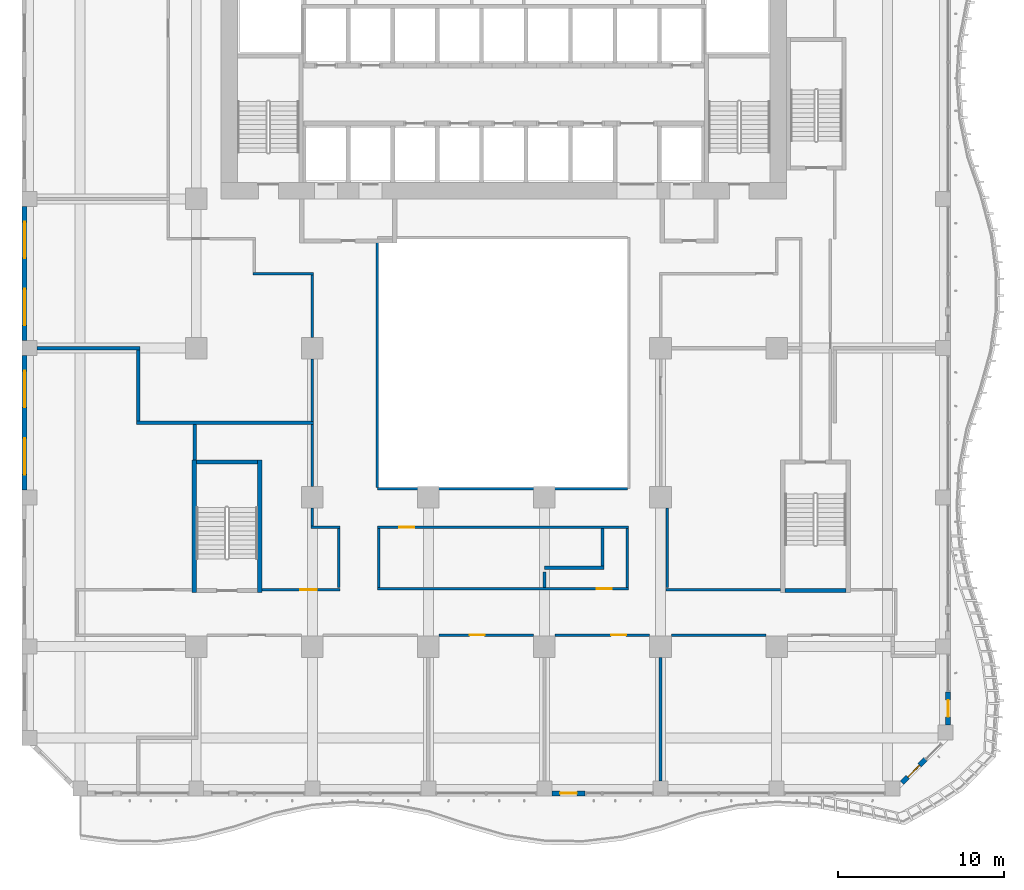
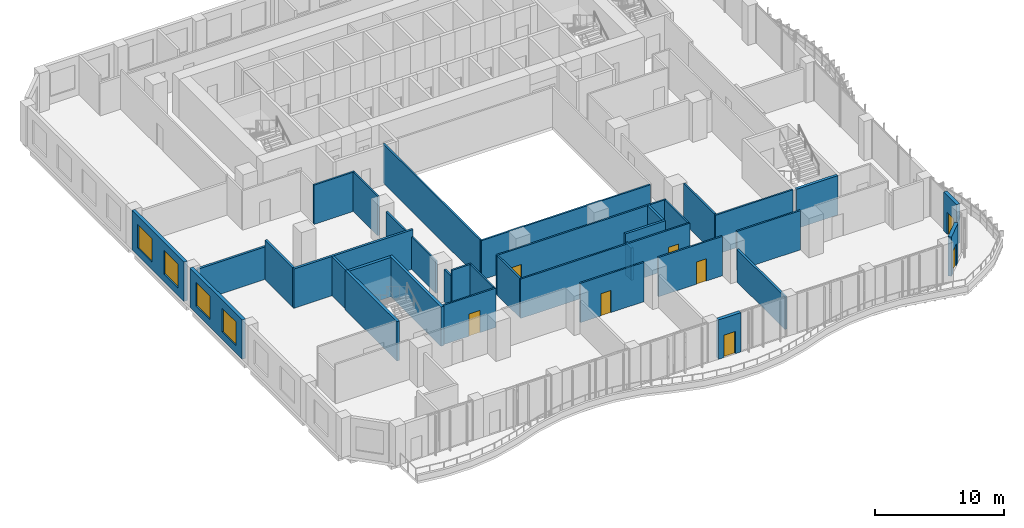
# One storey, part 13 of 27: 36 walls, 8 doors, 4 windows, 12 openings.
"""IFC4 building model written with IfcOpenShell, lengths in metres."""

from ifc_helpers import new_model, si_unit, direction, frame, frame_2d, origin, place, context, subcontext, project, spatial, rectangle, extrude, source, transform, mapped, material, layer, layer_set, type_object, element, fill, save


model = new_model("IFC4")

# Units and contexts
model_context = context("Model", 3, precision=1e-05, world=origin(), true_north=direction((0.0, 1.0)))
body_context = subcontext(model_context, "Body", "Model", "MODEL_VIEW")
ifc_project = project(units=[si_unit("LENGTHUNIT", "METRE"), si_unit("AREAUNIT", "SQUARE_METRE"), si_unit("VOLUMEUNIT", "CUBIC_METRE"), si_unit("PLANEANGLEUNIT", "RADIAN"), si_unit("MASSUNIT", "GRAM", prefix="KILO")], contexts=[model_context])

# Site, building, storey
site_placement = place(None, origin())
site = spatial("IfcSite", under=ifc_project, at=site_placement, CompositionType="ELEMENT")
building_placement = place(site_placement, origin())
building = spatial("IfcBuilding", under=site, at=building_placement, Name="Kilnfold Tower and Market Hall", CompositionType="ELEMENT")
storey_placement = place(building_placement, frame((0.0, 0.0, 51.0)))
storey = spatial("IfcBuildingStorey", under=building, at=storey_placement, Name="L11", CompositionType="ELEMENT", Elevation=51.0)

# Walls
ifc_material_1 = material(Name="Fire-resisting glazed screen")
ifc_layer_1 = layer(ifc_material_1, 0.14990234375)
ifc_layer_set_1 = layer_set([ifc_layer_1], Name="Fire-resisting glazed screen")
wall_type_1 = type_object("IfcWallType", Name="WALL ATRIUM 150", PredefinedType="PARTITIONING", material=ifc_layer_set_1)
wall_1_placement = place(storey_placement, frame((8.5, -9.47509765625, 0.0), z_axis=(0.0, 0.0, 1.0), x_axis=(-1.0, 0.0, 0.0)))
element("IfcWall", 1, at=wall_1_placement, inside=storey, type_object=wall_type_1, Name="Partition LY10.68", PredefinedType="PARTITIONING", context=body_context, shape_type="SweptSolid", body=[
    extrude(rectangle(XDim=15.074951171875, YDim=0.14990234375, at=frame_2d((7.53759765625, 0.0))), origin(), (0.0, 0.0, 1.0), 3.719970703125),
])
wall_2_placement = place(storey_placement, frame((-6.574951171875, -9.39990234375, 0.0), z_axis=(0.0, 0.0, 1.0), x_axis=(0.0, 1.0, 0.0)))
element("IfcWall", 2, at=wall_2_placement, inside=storey, type_object=wall_type_1, Name="Partition LY10.69", PredefinedType="PARTITIONING", context=body_context, shape_type="SweptSolid", body=[
    extrude(rectangle(XDim=15.0, YDim=0.14990234375, at=frame_2d((7.5, 0.0))), origin(), (0.0, 0.0, 1.0), 3.719970703125),
])
ifc_material_2 = material(Name="Gypsum board on steel studs", Category="steel")
ifc_layer_2 = layer(ifc_material_2, 0.14990234375)
ifc_layer_set_2 = layer_set([ifc_layer_2], Name="Gypsum board on steel studs")
wall_type_2 = type_object("IfcWallType", Name="WALL CORRIDOR 150", PredefinedType="PARTITIONING", material=ifc_layer_set_2)
wall_3_placement = place(storey_placement, frame((-10.5, -5.409912109375, 0.0), z_axis=(0.0, 0.0, 1.0), x_axis=(0.0, 1.0, 0.0)))
element("IfcWall", 3, at=wall_3_placement, inside=storey, type_object=wall_type_2, Name="Partition LY10.1", PredefinedType="PARTITIONING", context=body_context, shape_type="SweptSolid", body=[
    extrude(rectangle(XDim=3.760009765625, YDim=0.14990234375, at=frame_2d((1.8798828125, 0.0))), origin(), (0.0, 0.0, 1.0), 3.070068359375),
])
wall_4_placement = place(storey_placement, frame((-10.5, -0.35009765625, 0.0), z_axis=(0.0, 0.0, 1.0), x_axis=(0.0, 1.0, 0.0)))
element("IfcWall", 4, at=wall_4_placement, inside=storey, type_object=wall_type_2, Name="Partition LY10.2", PredefinedType="PARTITIONING", context=body_context, shape_type="SweptSolid", body=[
    extrude(rectangle(XDim=3.775146484375, YDim=0.14990234375, at=frame_2d((1.8876953125, 0.0))), origin(), (0.0, 0.0, 1.0), 3.719970703125),
])
wall_5_placement = place(storey_placement, frame((-14.074951171875, 3.5, 0.0), z_axis=(0.0, 0.0, 1.0), x_axis=(1.0, 0.0, 0.0)))
element("IfcWall", 5, at=wall_5_placement, inside=storey, type_object=wall_type_2, Name="Partition LY10.3", PredefinedType="PARTITIONING", context=body_context, shape_type="SweptSolid", body=[
    extrude(rectangle(XDim=3.64990234375, YDim=0.14990234375, at=frame_2d((1.824951171875, 0.0))), origin(), (0.0, 0.0, 1.0), 3.719970703125),
])

# Wall, opening, door
wall_6_placement = place(storey_placement, frame((-13.550048828125, -15.574951171875, 0.0), z_axis=(0.0, 0.0, 1.0), x_axis=(1.0, 0.0, 0.0)))
wall_6 = element("IfcWall", 6, at=wall_6_placement, inside=storey, type_object=wall_type_2, Name="Partition LY10.10", PredefinedType="PARTITIONING", context=body_context, shape_type="SweptSolid", body=[
    extrude(rectangle(XDim=4.72509765625, YDim=0.14990234375, at=frame_2d((2.362548828125, 0.0))), origin(), (0.0, 0.0, 1.0), 3.719970703125),
])
opening_1_placement = place(wall_6_placement, frame((2.31591796875, 0.0, 0.0)))
opening_1 = element("IfcOpeningElement", 7, at=opening_1_placement, cuts=wall_6, Name="Opening D1", PredefinedType="OPENING", context=body_context, shape_type="SweptSolid", body=[
    extrude(rectangle(XDim=1.0, YDim=2.10009765625, at=frame_2d((0.5, 1.050048828125))), frame((0.0, 0.0849609375, 0.0), z_axis=(0.0, -1.0, 0.0), x_axis=(1.0, 0.0, 0.0)), (0.0, 0.0, 1.0), 0.169921875),
])
ifc_material_3 = material(Name="Timber veneer door leaf in steel frame", Category="steel")
door_type_1 = type_object("IfcDoorType", Name="DOOR ENTRY 1000 X2100", OperationType="NOTDEFINED", PredefinedType="DOOR", material=ifc_material_3)
door_1_placement = place(opening_1_placement, origin())
door_1 = element("IfcDoor", 8, at=door_1_placement, inside=storey, type_object=door_type_1, Name="Door D1", OperationType="SINGLE_SWING_LEFT", OverallHeight=2.10009765625, OverallWidth=1.0, PredefinedType="DOOR", context=body_context, shape_type="SweptSolid", body=[
    extrude(rectangle(XDim=1.0, YDim=2.10009765625, at=frame_2d((0.5, 1.050048828125))), frame((0.0, 0.02490234375, 0.0), z_axis=(0.0, -1.0, 0.0), x_axis=(1.0, 0.0, 0.0)), (0.0, 0.0, 1.0), 0.050048828125),
])
fill(opening_1, door_1)

# Walls
wall_7_placement = place(storey_placement, frame((-8.89990234375, -11.875, 0.0), z_axis=(0.0, 0.0, 1.0), x_axis=(0.0, -1.0, 0.0)))
element("IfcWall", 9, at=wall_7_placement, inside=storey, type_object=wall_type_2, Name="Partition LY10.11", PredefinedType="PARTITIONING", context=body_context, shape_type="SweptSolid", body=[
    extrude(rectangle(XDim=3.550048828125, YDim=0.14990234375, at=frame_2d((1.77490234375, 0.0))), origin(), (0.0, 0.0, 1.0), 3.719970703125),
])
wall_8_placement = place(storey_placement, frame((-10.574951171875, -11.800048828125, 0.0), z_axis=(0.0, 0.0, 1.0), x_axis=(1.0, 0.0, 0.0)))
element("IfcWall", 10, at=wall_8_placement, inside=storey, type_object=wall_type_2, Name="Partition LY10.12", PredefinedType="PARTITIONING", context=body_context, shape_type="SweptSolid", body=[
    extrude(rectangle(XDim=1.75, YDim=0.14990234375, at=frame_2d((0.875, 0.0))), origin(), (0.0, 0.0, 1.0), 3.719970703125),
])
wall_9_placement = place(storey_placement, frame((-10.5, -11.72509765625, 0.0), z_axis=(0.0, 0.0, 1.0), x_axis=(0.0, 1.0, 0.0)))
element("IfcWall", 11, at=wall_9_placement, inside=storey, type_object=wall_type_2, Name="Partition LY10.13", PredefinedType="PARTITIONING", context=body_context, shape_type="SweptSolid", body=[
    extrude(rectangle(XDim=1.0751953125, YDim=0.14990234375, at=frame_2d((0.53759765625, 0.0))), origin(), (0.0, 0.0, 1.0), 3.070068359375),
])
wall_10_placement = place(storey_placement, frame((-10.5, -9.35009765625, 0.0), z_axis=(0.0, 0.0, 1.0), x_axis=(0.0, 1.0, 0.0)))
element("IfcWall", 12, at=wall_10_placement, inside=storey, type_object=wall_type_2, Name="Partition LY10.14", PredefinedType="PARTITIONING", context=body_context, shape_type="SweptSolid", body=[
    extrude(rectangle(XDim=3.760009765625, YDim=0.14990234375, at=frame_2d((1.8798828125, 0.0))), origin(), (0.0, 0.0, 1.0), 3.070068359375),
])

# Wall, opening, door
wall_11_placement = place(storey_placement, frame((-6.574951171875, -11.800048828125, 0.0), z_axis=(0.0, 0.0, 1.0), x_axis=(1.0, 0.0, 0.0)))
wall_11 = element("IfcWall", 13, at=wall_11_placement, inside=storey, type_object=wall_type_2, Name="Partition LY10.17", PredefinedType="PARTITIONING", context=body_context, shape_type="SweptSolid", body=[
    extrude(rectangle(XDim=15.14990234375, YDim=0.14990234375, at=frame_2d((7.574951171875, 0.0))), origin(), (0.0, 0.0, 1.0), 3.719970703125),
])
opening_2_placement = place(wall_11_placement, frame((1.30810546875, 0.0, 0.0)))
opening_2 = element("IfcOpeningElement", 14, at=opening_2_placement, cuts=wall_11, Name="Opening D2", PredefinedType="OPENING", context=body_context, shape_type="SweptSolid", body=[
    extrude(rectangle(XDim=0.89990234375, YDim=2.10009765625, at=frame_2d((0.449951171875, 1.050048828125))), frame((0.0, 0.0849609375, 0.0), z_axis=(0.0, -1.0, 0.0), x_axis=(1.0, 0.0, 0.0)), (0.0, 0.0, 1.0), 0.169921875),
])
ifc_material_4 = material(Name="Timber veneer door leaf in steel frame", Category="steel")
door_type_2 = type_object("IfcDoorType", Name="DOOR ROOM 900 X2100", OperationType="NOTDEFINED", PredefinedType="DOOR", material=ifc_material_4)
door_2_placement = place(opening_2_placement, origin())
door_2 = element("IfcDoor", 15, at=door_2_placement, inside=storey, type_object=door_type_2, Name="Door D2", OperationType="SINGLE_SWING_RIGHT", OverallHeight=2.10009765625, OverallWidth=0.89990234375, PredefinedType="DOOR", context=body_context, shape_type="SweptSolid", body=[
    extrude(rectangle(XDim=0.89990234375, YDim=2.10009765625, at=frame_2d((0.449951171875, 1.050048828125))), frame((0.0, 0.02490234375, 0.0), z_axis=(0.0, -1.0, 0.0), x_axis=(1.0, 0.0, 0.0)), (0.0, 0.0, 1.0), 0.050048828125),
])
fill(opening_2, door_2)

# Wall
wall_12_placement = place(storey_placement, frame((-6.5, -15.425048828125, 0.0), z_axis=(0.0, 0.0, 1.0), x_axis=(0.0, 1.0, 0.0)))
element("IfcWall", 16, at=wall_12_placement, inside=storey, type_object=wall_type_2, Name="Partition LY10.18", PredefinedType="PARTITIONING", context=body_context, shape_type="SweptSolid", body=[
    extrude(rectangle(XDim=3.550048828125, YDim=0.14990234375, at=frame_2d((1.77490234375, 0.0))), origin(), (0.0, 0.0, 1.0), 3.719970703125),
])

# Wall, opening, door
wall_13_placement = place(storey_placement, frame((-6.574951171875, -15.5, 0.0), z_axis=(0.0, 0.0, 1.0), x_axis=(1.0, 0.0, 0.0)))
wall_13 = element("IfcWall", 17, at=wall_13_placement, inside=storey, type_object=wall_type_2, Name="Partition LY10.19", PredefinedType="PARTITIONING", context=body_context, shape_type="SweptSolid", body=[
    extrude(rectangle(XDim=15.14990234375, YDim=0.14990234375, at=frame_2d((7.574951171875, 0.0))), origin(), (0.0, 0.0, 1.0), 3.719970703125),
])
opening_3_placement = place(wall_13_placement, frame((13.23193359375, 0.0, 0.0)))
opening_3 = element("IfcOpeningElement", 18, at=opening_3_placement, cuts=wall_13, Name="Opening D3", PredefinedType="OPENING", context=body_context, shape_type="SweptSolid", body=[
    extrude(rectangle(XDim=0.89990234375, YDim=2.10009765625, at=frame_2d((0.449951171875, 1.050048828125))), frame((0.0, 0.0849609375, 0.0), z_axis=(0.0, -1.0, 0.0), x_axis=(1.0, 0.0, 0.0)), (0.0, 0.0, 1.0), 0.169921875),
])
ifc_material_5 = material(Name="Timber veneer door leaf in steel frame", Category="steel")
door_type_3 = type_object("IfcDoorType", Name="DOOR WC 900 X2100", OperationType="NOTDEFINED", PredefinedType="DOOR", material=ifc_material_5)
door_3_placement = place(opening_3_placement, origin())
door_3 = element("IfcDoor", 19, at=door_3_placement, inside=storey, type_object=door_type_3, Name="Door D3", OperationType="SINGLE_SWING_LEFT", OverallHeight=2.10009765625, OverallWidth=0.89990234375, PredefinedType="DOOR", context=body_context, shape_type="SweptSolid", body=[
    extrude(rectangle(XDim=0.89990234375, YDim=2.10009765625, at=frame_2d((0.449951171875, 1.050048828125))), frame((0.0, 0.02490234375, 0.0), z_axis=(0.0, -1.0, 0.0), x_axis=(1.0, 0.0, 0.0)), (0.0, 0.0, 1.0), 0.050048828125),
])
fill(opening_3, door_3)

wall_14_placement = place(storey_placement, frame((-2.85009765625, -18.300048828125, 0.0), z_axis=(0.0, 0.0, 1.0), x_axis=(1.0, 0.0, 0.0)))
wall_14 = element("IfcWall", 20, at=wall_14_placement, inside=storey, type_object=wall_type_2, Name="Partition LY10.20", PredefinedType="PARTITIONING", context=body_context, shape_type="SweptSolid", body=[
    extrude(rectangle(XDim=5.7001953125, YDim=0.14990234375, at=frame_2d((2.85009765625, 0.0))), origin(), (0.0, 0.0, 1.0), 3.719970703125),
])
opening_4_placement = place(wall_14_placement, frame((1.8369140625, 0.0, 0.0)))
opening_4 = element("IfcOpeningElement", 21, at=opening_4_placement, cuts=wall_14, Name="Opening D2", PredefinedType="OPENING", context=body_context, shape_type="SweptSolid", body=[
    extrude(rectangle(XDim=0.89990234375, YDim=2.10009765625, at=frame_2d((0.449951171875, 1.050048828125))), frame((0.0, 0.0849609375, 0.0), z_axis=(0.0, -1.0, 0.0), x_axis=(1.0, 0.0, 0.0)), (0.0, 0.0, 1.0), 0.169921875),
])
door_4_placement = place(opening_4_placement, origin())
door_4 = element("IfcDoor", 22, at=door_4_placement, inside=storey, type_object=door_type_2, Name="Door D2", OperationType="SINGLE_SWING_LEFT", OverallHeight=2.10009765625, OverallWidth=0.89990234375, PredefinedType="DOOR", context=body_context, shape_type="SweptSolid", body=[
    extrude(rectangle(XDim=0.89990234375, YDim=2.10009765625, at=frame_2d((0.449951171875, 1.050048828125))), frame((0.0, 0.02490234375, 0.0), z_axis=(0.0, -1.0, 0.0), x_axis=(1.0, 0.0, 0.0)), (0.0, 0.0, 1.0), 0.050048828125),
])
fill(opening_4, door_4)

wall_15_placement = place(storey_placement, frame((4.14990234375, -18.300048828125, 0.0), z_axis=(0.0, 0.0, 1.0), x_axis=(1.0, 0.0, 0.0)))
wall_15 = element("IfcWall", 23, at=wall_15_placement, inside=storey, type_object=wall_type_2, Name="Partition LY10.21", PredefinedType="PARTITIONING", context=body_context, shape_type="SweptSolid", body=[
    extrude(rectangle(XDim=5.7001953125, YDim=0.14990234375, at=frame_2d((2.85009765625, 0.0))), origin(), (0.0, 0.0, 1.0), 3.719970703125),
])
opening_5_placement = place(wall_15_placement, frame((3.3720703125, 0.0, 0.0)))
opening_5 = element("IfcOpeningElement", 24, at=opening_5_placement, cuts=wall_15, Name="Opening D2", PredefinedType="OPENING", context=body_context, shape_type="SweptSolid", body=[
    extrude(rectangle(XDim=0.89990234375, YDim=2.10009765625, at=frame_2d((0.449951171875, 1.050048828125))), frame((0.0, 0.0849609375, 0.0), z_axis=(0.0, -1.0, 0.0), x_axis=(1.0, 0.0, 0.0)), (0.0, 0.0, 1.0), 0.169921875),
])
door_5_placement = place(opening_5_placement, origin())
door_5 = element("IfcDoor", 25, at=door_5_placement, inside=storey, type_object=door_type_2, Name="Door D2", OperationType="SINGLE_SWING_RIGHT", OverallHeight=2.10009765625, OverallWidth=0.89990234375, PredefinedType="DOOR", context=body_context, shape_type="SweptSolid", body=[
    extrude(rectangle(XDim=0.89990234375, YDim=2.10009765625, at=frame_2d((0.449951171875, 1.050048828125))), frame((0.0, 0.02490234375, 0.0), z_axis=(0.0, -1.0, 0.0), x_axis=(1.0, 0.0, 0.0)), (0.0, 0.0, 1.0), 0.050048828125),
])
fill(opening_5, door_5)

# Walls
wall_16_placement = place(storey_placement, frame((8.5, -11.875, 0.0), z_axis=(0.0, 0.0, 1.0), x_axis=(0.0, -1.0, 0.0)))
element("IfcWall", 26, at=wall_16_placement, inside=storey, type_object=wall_type_2, Name="Partition LY10.22", PredefinedType="PARTITIONING", context=body_context, shape_type="SweptSolid", body=[
    extrude(rectangle(XDim=3.550048828125, YDim=0.14990234375, at=frame_2d((1.77490234375, 0.0))), origin(), (0.0, 0.0, 1.0), 3.719970703125),
])
wall_17_placement = place(storey_placement, frame((11.14990234375, -18.300048828125, 0.0), z_axis=(0.0, 0.0, 1.0), x_axis=(1.0, 0.0, 0.0)))
element("IfcWall", 27, at=wall_17_placement, inside=storey, type_object=wall_type_2, Name="Partition LY10.23", PredefinedType="PARTITIONING", context=body_context, shape_type="SweptSolid", body=[
    extrude(rectangle(XDim=5.7001953125, YDim=0.14990234375, at=frame_2d((2.85009765625, 0.0))), origin(), (0.0, 0.0, 1.0), 3.719970703125),
])
wall_18_placement = place(storey_placement, frame((10.89990234375, -15.425048828125, 0.0), z_axis=(0.0, 0.0, 1.0), x_axis=(0.0, 1.0, 0.0)))
element("IfcWall", 28, at=wall_18_placement, inside=storey, type_object=wall_type_2, Name="Partition LY10.26", PredefinedType="PARTITIONING", context=body_context, shape_type="SweptSolid", body=[
    extrude(rectangle(XDim=4.775146484375, YDim=0.14990234375, at=frame_2d((2.3876953125, 0.0))), origin(), (0.0, 0.0, 1.0), 3.719970703125),
])
wall_19_placement = place(storey_placement, frame((10.824951171875, -15.574951171875, 0.0), z_axis=(0.0, 0.0, 1.0), x_axis=(1.0, 0.0, 0.0)))
element("IfcWall", 29, at=wall_19_placement, inside=storey, type_object=wall_type_2, Name="Partition LY10.27", PredefinedType="PARTITIONING", context=body_context, shape_type="SweptSolid", body=[
    extrude(rectangle(XDim=6.925048828125, YDim=0.14990234375, at=frame_2d((3.46240234375, 0.0))), origin(), (0.0, 0.0, 1.0), 3.719970703125),
])
ifc_material_6 = material(Name="Gypsum board on steel studs", Category="steel")
ifc_layer_3 = layer(ifc_material_6, 0.199951171875)
ifc_layer_set_3 = layer_set([ifc_layer_3], Name="Gypsum board on steel studs")
wall_type_3 = type_object("IfcWallType", Name="WALL PARTY 200", PredefinedType="PARTITIONING", material=ifc_layer_set_3)
wall_20_placement = place(storey_placement, frame((-21.10009765625, -5.5, 0.0), z_axis=(0.0, 0.0, 1.0), x_axis=(1.0, 0.0, 0.0)))
element("IfcWall", 30, at=wall_20_placement, inside=storey, type_object=wall_type_3, Name="Partition LY10.42", PredefinedType="PARTITIONING", context=body_context, shape_type="SweptSolid", body=[
    extrude(rectangle(XDim=10.674072265625, YDim=0.199951171875, at=frame_2d((5.3369140625, 0.0))), origin(), (0.0, 0.0, 1.0), 3.719970703125),
])
wall_21_placement = place(storey_placement, frame((-21.0, -5.39990234375, 0.0), z_axis=(0.0, 0.0, 1.0), x_axis=(0.0, 1.0, 0.0)))
element("IfcWall", 31, at=wall_21_placement, inside=storey, type_object=wall_type_3, Name="Partition LY10.43", PredefinedType="PARTITIONING", context=body_context, shape_type="SweptSolid", body=[
    extrude(rectangle(XDim=4.2998046875, YDim=0.199951171875, at=frame_2d((2.14990234375, 0.0))), origin(), (0.0, 0.0, 1.0), 3.719970703125),
])
wall_22_placement = place(storey_placement, frame((-27.10009765625, -1.0, 0.0), z_axis=(0.0, 0.0, 1.0), x_axis=(1.0, 0.0, 0.0)))
element("IfcWall", 32, at=wall_22_placement, inside=storey, type_object=wall_type_3, Name="Partition LY10.44", PredefinedType="PARTITIONING", context=body_context, shape_type="SweptSolid", body=[
    extrude(rectangle(XDim=6.2001953125, YDim=0.199951171875, at=frame_2d((3.10009765625, 0.0))), origin(), (0.0, 0.0, 1.0), 3.070068359375),
])
wall_23_placement = place(storey_placement, frame((-17.60009765625, -7.75, 0.0), z_axis=(0.0, 0.0, 1.0), x_axis=(0.0, 1.0, 0.0)))
element("IfcWall", 33, at=wall_23_placement, inside=storey, type_object=wall_type_3, Name="Partition LY10.46", PredefinedType="PARTITIONING", context=body_context, shape_type="SweptSolid", body=[
    extrude(rectangle(XDim=2.14990234375, YDim=0.199951171875, at=frame_2d((1.074951171875, 0.0))), origin(), (0.0, 0.0, 1.0), 3.719970703125),
])
wall_24_placement = place(storey_placement, frame((7.0, -14.14208984375, 0.0), z_axis=(0.0, 0.0, 1.0), x_axis=(0.0, 1.0, 0.0)))
element("IfcWall", 34, at=wall_24_placement, inside=storey, type_object=wall_type_3, Name="Partition LY10.51", PredefinedType="PARTITIONING", context=body_context, shape_type="SweptSolid", body=[
    extrude(rectangle(XDim=2.26611328125, YDim=0.199951171875, at=frame_2d((1.133056640625, 0.0))), origin(), (0.0, 0.0, 1.0), 3.719970703125),
])
wall_25_placement = place(storey_placement, frame((3.498046875, -14.241943359375, 0.0), z_axis=(0.0, 0.0, 1.0), x_axis=(1.0, 0.0, 0.0)))
element("IfcWall", 35, at=wall_25_placement, inside=storey, type_object=wall_type_3, Name="Partition LY10.52", PredefinedType="PARTITIONING", context=body_context, shape_type="SweptSolid", body=[
    extrude(rectangle(XDim=3.60205078125, YDim=0.199951171875, at=frame_2d((1.801025390625, 0.0))), origin(), (0.0, 0.0, 1.0), 3.719970703125),
])
wall_26_placement = place(storey_placement, frame((3.5, -15.424072265625, 0.0), z_axis=(0.0, 0.0, 1.0), x_axis=(0.0, 1.0, 0.0)))
element("IfcWall", 36, at=wall_26_placement, inside=storey, type_object=wall_type_3, Name="Partition LY10.53", PredefinedType="PARTITIONING", context=body_context, shape_type="SweptSolid", body=[
    extrude(rectangle(XDim=0.922119140625, YDim=0.199951171875, at=frame_2d((0.4609375, 0.0))), origin(), (0.0, 0.0, 1.0), 3.070068359375),
])
wall_27_placement = place(storey_placement, frame((10.5, -27.10009765625, 0.0), z_axis=(0.0, 0.0, 1.0), x_axis=(0.0, 1.0, 0.0)))
element("IfcWall", 37, at=wall_27_placement, inside=storey, type_object=wall_type_3, Name="Partition LY10.55", PredefinedType="PARTITIONING", context=body_context, shape_type="SweptSolid", body=[
    extrude(rectangle(XDim=7.4501953125, YDim=0.199951171875, at=frame_2d((3.72509765625, 0.0))), origin(), (0.0, 0.0, 1.0), 3.070068359375),
])
ifc_material_7 = material(Name="Concrete C80", Category="concrete")
ifc_layer_4 = layer(ifc_material_7, 0.25)
ifc_layer_set_4 = layer_set([ifc_layer_4], Name="Concrete C80")
wall_type_4 = type_object("IfcWallType", Name="CORE WALL 250 C80", PredefinedType="SHEAR", material=ifc_layer_set_4)
shared_shape_1 = source(origin(), body_context, "Body", "SweptSolid", [
    extrude(rectangle(XDim=3.699951171875, YDim=0.25, at=frame_2d((1.85009765625, 0.0))), origin(), (0.0, 0.0, 1.0), 3.719970703125),
])
for number, where, z_axis, x_axis, name in (
    (38, (-17.5, -7.875, 0.0), (0.0, 0.0, 1.0), (1.0, 0.0, 0.0), "Stair enclosure ST3"),
    (39, (18.0, -15.625, 0.0), (0.0, 0.0, 1.0), (1.0, 0.0, 0.0), "Stair enclosure ST4"),
):
    element("IfcWall", number, at=place(storey_placement, frame(where, z_axis=z_axis, x_axis=x_axis)), inside=storey, type_object=wall_type_4, Name=name, PredefinedType="SHEAR", context=body_context, shape_type="MappedRepresentation", body=[
        mapped(shared_shape_1, transform((0.0, 0.0, 0.0))),
    ])
shared_shape_2 = source(origin(), body_context, "Body", "SweptSolid", [
    extrude(rectangle(XDim=8.0, YDim=0.25, at=frame_2d((4.0, 0.0))), origin(), (0.0, 0.0, 1.0), 3.719970703125),
])
for number, where, z_axis, x_axis, name in (
    (40, (-17.625, -15.75, 0.0), (0.0, 0.0, 1.0), (0.0, 1.0, 0.0), "Stair enclosure ST3"),
    (41, (-13.675048828125, -15.75, 0.0), (0.0, 0.0, 1.0), (0.0, 1.0, 0.0), "Stair enclosure ST3"),
):
    element("IfcWall", number, at=place(storey_placement, frame(where, z_axis=z_axis, x_axis=x_axis)), inside=storey, type_object=wall_type_4, Name=name, PredefinedType="SHEAR", context=body_context, shape_type="MappedRepresentation", body=[
        mapped(shared_shape_2, transform((0.0, 0.0, 0.0))),
    ])

# Wall, opening, door
ifc_material_8 = material(Name="Precast concrete C50/60", Category="concrete")
ifc_layer_5 = layer(ifc_material_8, 0.300048828125)
ifc_layer_set_5 = layer_set([ifc_layer_5], Name="Precast concrete C50/60")
wall_type_5 = type_object("IfcWallType", Name="PRECAST WALL 300", PredefinedType="SOLIDWALL", material=ifc_layer_set_5)
shared_shape_3 = source(origin(), body_context, "Body", "SweptSolid", [
    extrude(rectangle(XDim=2.0, YDim=0.300048828125, at=frame_2d((1.0, 0.0))), origin(), (0.0, 0.0, 1.0), 3.719970703125),
])
wall_28_placement = place(storey_placement, frame((3.949951171875, -27.85009765625, 0.0), z_axis=(0.0, 0.0, 1.0), x_axis=(1.0, 0.0, 0.0)))
wall_28 = element("IfcWall", 42, at=wall_28_placement, inside=storey, type_object=wall_type_5, Name="External wall L11 S", PredefinedType="SOLIDWALL", context=body_context, shape_type="MappedRepresentation", body=[
    mapped(shared_shape_3, transform((0.0, 0.0, 0.0))),
])
opening_6_placement = place(wall_28_placement, frame((0.5, 0.0, 0.0)))
opening_6 = element("IfcOpeningElement", 43, at=opening_6_placement, cuts=wall_28, Name="Opening BD1", PredefinedType="OPENING", context=body_context, shape_type="SweptSolid", body=[
    extrude(rectangle(XDim=1.0, YDim=2.10009765625, at=frame_2d((0.5, 1.050048828125))), frame((0.0, 0.16015625, 0.0), z_axis=(0.0, -1.0, 0.0), x_axis=(1.0, 0.0, 0.0)), (0.0, 0.0, 1.0), 0.320068359375),
])
ifc_material_9 = material(Name="Aluminium frame and double glazing", Category="aluminium")
door_type_4 = type_object("IfcDoorType", Name="BALCONY DOOR 1000X2100", OperationType="NOTDEFINED", PredefinedType="DOOR", material=ifc_material_9)
door_6_placement = place(opening_6_placement, origin())
door_6 = element("IfcDoor", 44, at=door_6_placement, inside=storey, type_object=door_type_4, Name="Balcony door BD1 L11 S-1", OperationType="SINGLE_SWING_LEFT", OverallHeight=2.10009765625, OverallWidth=1.0, PredefinedType="DOOR", context=body_context, shape_type="SweptSolid", body=[
    extrude(rectangle(XDim=1.0, YDim=2.10009765625, at=frame_2d((0.5, 1.050048828125))), frame((0.0, 0.02490234375, 0.0), z_axis=(0.0, -1.0, 0.0), x_axis=(1.0, 0.0, 0.0)), (0.0, 0.0, 1.0), 0.050048828125),
])
fill(opening_6, door_6)

wall_29_placement = place(storey_placement, frame((27.85009765625, -23.731689453125, 0.0), z_axis=(0.0, 0.0, 1.0), x_axis=(0.0, 1.0, 0.0)))
wall_29 = element("IfcWall", 45, at=wall_29_placement, inside=storey, type_object=wall_type_5, Name="External wall L11 E", PredefinedType="SOLIDWALL", context=body_context, shape_type="MappedRepresentation", body=[
    mapped(shared_shape_3, transform((0.0, 0.0, 0.0))),
])
opening_7_placement = place(wall_29_placement, frame((0.5, 0.0, 0.0)))
opening_7 = element("IfcOpeningElement", 46, at=opening_7_placement, cuts=wall_29, Name="Opening BD1", PredefinedType="OPENING", context=body_context, shape_type="SweptSolid", body=[
    extrude(rectangle(XDim=1.0, YDim=2.10009765625, at=frame_2d((0.5, 1.050048828125))), frame((0.0, 0.16015625, 0.0), z_axis=(0.0, -1.0, 0.0), x_axis=(1.0, 0.0, 0.0)), (0.0, 0.0, 1.0), 0.320068359375),
])
door_7_placement = place(opening_7_placement, origin())
door_7 = element("IfcDoor", 47, at=door_7_placement, inside=storey, type_object=door_type_4, Name="Balcony door BD1 L11 E-1", OperationType="SINGLE_SWING_LEFT", OverallHeight=2.10009765625, OverallWidth=1.0, PredefinedType="DOOR", context=body_context, shape_type="SweptSolid", body=[
    extrude(rectangle(XDim=1.0, YDim=2.10009765625, at=frame_2d((0.5, 1.050048828125))), frame((0.0, 0.02490234375, 0.0), z_axis=(0.0, -1.0, 0.0), x_axis=(1.0, 0.0, 0.0)), (0.0, 0.0, 1.0), 0.050048828125),
])
fill(opening_7, door_7)

shared_shape_4 = source(origin(), body_context, "Body", "SweptSolid", [
    extrude(rectangle(XDim=2.000244140625, YDim=0.300048828125, at=frame_2d((1.0, 0.0))), origin(), (0.0, 0.0, 1.0), 3.719970703125),
])
wall_30_placement = place(storey_placement, frame((25.06884765625, -27.218994140625, 0.0), z_axis=(0.0, 0.0, 1.0), x_axis=(0.707106781187, 0.707106781187, 0.0)))
wall_30 = element("IfcWall", 48, at=wall_30_placement, inside=storey, type_object=wall_type_5, Name="External wall L11 SE", PredefinedType="SOLIDWALL", context=body_context, shape_type="MappedRepresentation", body=[
    mapped(shared_shape_4, transform((0.0, 0.0, 0.0))),
])
opening_8_placement = place(wall_30_placement, frame((0.5, 0.0, 0.0)))
opening_8 = element("IfcOpeningElement", 49, at=opening_8_placement, cuts=wall_30, Name="Opening BD1", PredefinedType="OPENING", context=body_context, shape_type="SweptSolid", body=[
    extrude(rectangle(XDim=1.0, YDim=2.10009765625, at=frame_2d((0.5, 1.050048828125))), frame((0.0, 0.16015625, 0.0), z_axis=(0.0, -1.0, 0.0), x_axis=(1.0, 0.0, 0.0)), (0.0, 0.0, 1.0), 0.320068359375),
])
door_8_placement = place(opening_8_placement, origin())
door_8 = element("IfcDoor", 50, at=door_8_placement, inside=storey, type_object=door_type_4, Name="Balcony door BD1 L11 SE-1", OperationType="SINGLE_SWING_LEFT", OverallHeight=2.10009765625, OverallWidth=1.0, PredefinedType="DOOR", context=body_context, shape_type="SweptSolid", body=[
    extrude(rectangle(XDim=1.0, YDim=2.10009765625, at=frame_2d((0.5, 1.050048828125))), frame((0.0, 0.02490234375, 0.0), z_axis=(0.0, -1.0, 0.0), x_axis=(1.0, 0.0, 0.0)), (0.0, 0.0, 1.0), 0.050048828125),
])
fill(opening_8, door_8)

# Wall, openings, windows
shared_shape_5 = source(origin(), body_context, "Body", "SweptSolid", [
    extrude(rectangle(XDim=8.10009765625, YDim=0.300048828125, at=frame_2d((4.050048828125, 0.0))), origin(), (0.0, 0.0, 1.0), 3.719970703125),
])
wall_31_placement = place(storey_placement, frame((-27.85009765625, 7.550048828125, 0.0), z_axis=(0.0, 0.0, 1.0), x_axis=(0.0, -1.0, 0.0)))
wall_31 = element("IfcWall", 51, at=wall_31_placement, inside=storey, type_object=wall_type_5, Name="External wall L11 W", PredefinedType="SOLIDWALL", context=body_context, shape_type="MappedRepresentation", body=[
    mapped(shared_shape_5, transform((0.0, 0.0, 0.0))),
])
opening_9_placement = place(wall_31_placement, frame((0.925048828125, 0.0, 0.699951171875)))
opening_9 = element("IfcOpeningElement", 52, at=opening_9_placement, cuts=wall_31, Name="Opening W1", PredefinedType="OPENING", context=body_context, shape_type="SweptSolid", body=[
    extrude(rectangle(XDim=2.199951171875, YDim=2.25, at=frame_2d((1.10009765625, 1.125))), frame((0.0, 0.16015625, 0.0), z_axis=(0.0, -1.0, 0.0), x_axis=(1.0, 0.0, 0.0)), (0.0, 0.0, 1.0), 0.320068359375),
])
opening_10_placement = place(wall_31_placement, frame((4.97509765625, 0.0, 0.699951171875)))
opening_10 = element("IfcOpeningElement", 53, at=opening_10_placement, cuts=wall_31, Name="Opening W1", PredefinedType="OPENING", context=body_context, shape_type="SweptSolid", body=[
    extrude(rectangle(XDim=2.199951171875, YDim=2.25, at=frame_2d((1.10009765625, 1.125))), frame((0.0, 0.16015625, 0.0), z_axis=(0.0, -1.0, 0.0), x_axis=(1.0, 0.0, 0.0)), (0.0, 0.0, 1.0), 0.320068359375),
])
ifc_material_10 = material(Name="Aluminium frame and double glazing", Category="aluminium")
window_type = type_object("IfcWindowType", Name="WINDOW W1 2200X2250", PartitioningType="SINGLE_PANEL", PredefinedType="WINDOW", material=ifc_material_10)
window_1_placement = place(opening_9_placement, origin())
window_1 = element("IfcWindow", 54, at=window_1_placement, inside=storey, type_object=window_type, Name="Window W1 L11 W-1", OverallHeight=2.25, OverallWidth=2.199951171875, PartitioningType="SINGLE_PANEL", PredefinedType="WINDOW", context=body_context, shape_type="SweptSolid", body=[
    extrude(rectangle(XDim=2.199951171875, YDim=2.25, at=frame_2d((1.10009765625, 1.125))), frame((0.0, 0.030029296875, 0.0), z_axis=(0.0, -1.0, 0.0), x_axis=(1.0, 0.0, 0.0)), (0.0, 0.0, 1.0), 0.06005859375),
])
fill(opening_9, window_1)
window_2_placement = place(opening_10_placement, origin())
window_2 = element("IfcWindow", 55, at=window_2_placement, inside=storey, type_object=window_type, Name="Window W1 L11 W-2", OverallHeight=2.25, OverallWidth=2.199951171875, PartitioningType="SINGLE_PANEL", PredefinedType="WINDOW", context=body_context, shape_type="SweptSolid", body=[
    extrude(rectangle(XDim=2.199951171875, YDim=2.25, at=frame_2d((1.10009765625, 1.125))), frame((0.0, 0.030029296875, 0.0), z_axis=(0.0, -1.0, 0.0), x_axis=(1.0, 0.0, 0.0)), (0.0, 0.0, 1.0), 0.06005859375),
])
fill(opening_10, window_2)

wall_32_placement = place(storey_placement, frame((-27.85009765625, -1.449951171875, 0.0), z_axis=(0.0, 0.0, 1.0), x_axis=(0.0, -1.0, 0.0)))
wall_32 = element("IfcWall", 56, at=wall_32_placement, inside=storey, type_object=wall_type_5, Name="External wall L11 W", PredefinedType="SOLIDWALL", context=body_context, shape_type="MappedRepresentation", body=[
    mapped(shared_shape_5, transform((0.0, 0.0, 0.0))),
])
opening_11_placement = place(wall_32_placement, frame((0.925048828125, 0.0, 0.699951171875)))
opening_11 = element("IfcOpeningElement", 57, at=opening_11_placement, cuts=wall_32, Name="Opening W1", PredefinedType="OPENING", context=body_context, shape_type="SweptSolid", body=[
    extrude(rectangle(XDim=2.199951171875, YDim=2.25, at=frame_2d((1.10009765625, 1.125))), frame((0.0, 0.16015625, 0.0), z_axis=(0.0, -1.0, 0.0), x_axis=(1.0, 0.0, 0.0)), (0.0, 0.0, 1.0), 0.320068359375),
])
opening_12_placement = place(wall_32_placement, frame((4.97509765625, 0.0, 0.699951171875)))
opening_12 = element("IfcOpeningElement", 58, at=opening_12_placement, cuts=wall_32, Name="Opening W1", PredefinedType="OPENING", context=body_context, shape_type="SweptSolid", body=[
    extrude(rectangle(XDim=2.199951171875, YDim=2.25, at=frame_2d((1.10009765625, 1.125))), frame((0.0, 0.16015625, 0.0), z_axis=(0.0, -1.0, 0.0), x_axis=(1.0, 0.0, 0.0)), (0.0, 0.0, 1.0), 0.320068359375),
])
window_3_placement = place(opening_11_placement, origin())
window_3 = element("IfcWindow", 59, at=window_3_placement, inside=storey, type_object=window_type, Name="Window W1 L11 W-1", OverallHeight=2.25, OverallWidth=2.199951171875, PartitioningType="SINGLE_PANEL", PredefinedType="WINDOW", context=body_context, shape_type="SweptSolid", body=[
    extrude(rectangle(XDim=2.199951171875, YDim=2.25, at=frame_2d((1.10009765625, 1.125))), frame((0.0, 0.030029296875, 0.0), z_axis=(0.0, -1.0, 0.0), x_axis=(1.0, 0.0, 0.0)), (0.0, 0.0, 1.0), 0.06005859375),
])
fill(opening_11, window_3)
window_4_placement = place(opening_12_placement, origin())
window_4 = element("IfcWindow", 60, at=window_4_placement, inside=storey, type_object=window_type, Name="Window W1 L11 W-2", OverallHeight=2.25, OverallWidth=2.199951171875, PartitioningType="SINGLE_PANEL", PredefinedType="WINDOW", context=body_context, shape_type="SweptSolid", body=[
    extrude(rectangle(XDim=2.199951171875, YDim=2.25, at=frame_2d((1.10009765625, 1.125))), frame((0.0, 0.030029296875, 0.0), z_axis=(0.0, -1.0, 0.0), x_axis=(1.0, 0.0, 0.0)), (0.0, 0.0, 1.0), 0.06005859375),
])
fill(opening_12, window_4)

save(model, "model.ifc")
